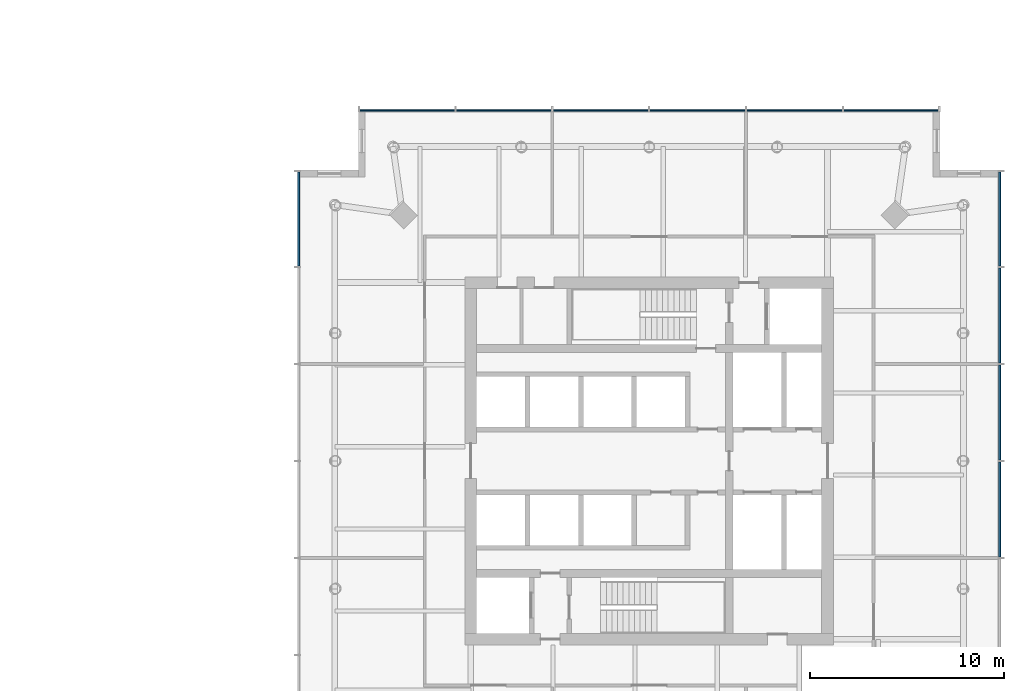
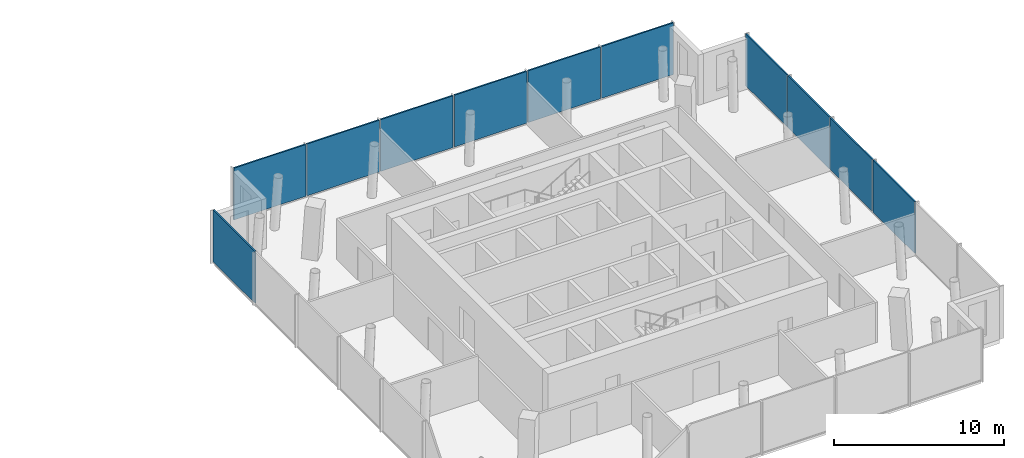
# One storey, part 9 of 18: 11 plates, 3 elements without a shape of their own.
"""IFC4 building model written with IfcOpenShell, lengths in metres."""

from ifc_helpers import new_model, si_unit, direction, frame, origin, origin_2d, place, context, subcontext, project, spatial, rectangle, extrude, material, layer, layer_set, type_object, element, aggregate, save


model = new_model("IFC4")

# Units and contexts
model_context = context("Model", 3, precision=1e-05, world=origin(), true_north=direction((0.0, 1.0)))
body_context = subcontext(model_context, "Body", "Model", "MODEL_VIEW")
ifc_project = project(units=[si_unit("LENGTHUNIT", "METRE"), si_unit("AREAUNIT", "SQUARE_METRE"), si_unit("VOLUMEUNIT", "CUBIC_METRE"), si_unit("PLANEANGLEUNIT", "RADIAN"), si_unit("MASSUNIT", "GRAM", prefix="KILO")], contexts=[model_context])

# Site, building, storey
site_placement = place(None, origin())
site = spatial("IfcSite", under=ifc_project, at=site_placement, CompositionType="ELEMENT")
building_placement = place(site_placement, origin())
building = spatial("IfcBuilding", under=site, at=building_placement, Name="Ostroluk Exchange", CompositionType="ELEMENT")
storey_placement = place(building_placement, frame((0.0, 0.0, 85.60009765625)))
storey = spatial("IfcBuildingStorey", under=building, at=storey_placement, Name="L21", CompositionType="ELEMENT", Elevation=85.60009765625)

# Curtain wall, plates
ifc_material_1 = material(Name="Laminated clear glass", Category="glass")
curtain_wall_type = type_object("IfcCurtainWallType", Name="Hotel amenity and plant facade", PredefinedType="USERDEFINED", material=ifc_material_1)
curtain_wall_1_placement = place(storey_placement, origin())
curtain_wall_1 = element("IfcCurtainWall", 1, at=curtain_wall_1_placement, inside=storey, type_object=curtain_wall_type, Name="Hotel tower east facade L21", ObjectType="LOUVRED CURTAIN WALL", PredefinedType="USERDEFINED")
ifc_material_2 = material(Name="Aluminium louvre", Category="aluminium")
ifc_layer = layer(ifc_material_2, 0.10009765625)
ifc_layer_set = layer_set([ifc_layer], Name="Aluminium louvre panel 100")
plate_type = type_object("IfcPlateType", Name="Aluminium louvre panel 100", PredefinedType="USERDEFINED", material=ifc_layer_set)
plate_1_placement = place(storey_placement, frame((135.074951171875, 43.5, 0.080078125), z_axis=(0.0, 0.0, 1.0), x_axis=(0.0, 1.0, 0.0)))
plate_1 = element("IfcPlate", 2, at=plate_1_placement, type_object=plate_type, Name="CW-H2 panel 3.1", ObjectType="LOUVRE PANEL", PredefinedType="USERDEFINED", context=body_context, shape_type="SweptSolid", body=[
    extrude(rectangle(XDim=4.919921875, YDim=0.10009765625, at=origin_2d()), origin(), (0.0, 0.0, 1.0), 3.719970703125),
])
plate_2_placement = place(storey_placement, frame((135.074951171875, 48.5, 0.080078125), z_axis=(0.0, 0.0, 1.0), x_axis=(0.0, 1.0, 0.0)))
plate_2 = element("IfcPlate", 3, at=plate_2_placement, type_object=plate_type, Name="CW-H2 panel 4.1", ObjectType="LOUVRE PANEL", PredefinedType="USERDEFINED", context=body_context, shape_type="SweptSolid", body=[
    extrude(rectangle(XDim=4.919921875, YDim=0.10009765625, at=origin_2d()), origin(), (0.0, 0.0, 1.0), 3.719970703125),
])
plate_3_placement = place(storey_placement, frame((135.074951171875, 53.5, 0.080078125), z_axis=(0.0, 0.0, 1.0), x_axis=(0.0, 1.0, 0.0)))
plate_3 = element("IfcPlate", 4, at=plate_3_placement, type_object=plate_type, Name="CW-H2 panel 5.1", ObjectType="LOUVRE PANEL", PredefinedType="USERDEFINED", context=body_context, shape_type="SweptSolid", body=[
    extrude(rectangle(XDim=4.919921875, YDim=0.10009765625, at=origin_2d()), origin(), (0.0, 0.0, 1.0), 3.719970703125),
])
plate_4_placement = place(storey_placement, frame((135.074951171875, 58.47998046875, 0.080078125), z_axis=(0.0, 0.0, 1.0), x_axis=(0.0, 1.0, 0.0)))
plate_4 = element("IfcPlate", 5, at=plate_4_placement, type_object=plate_type, Name="CW-H2 panel 6.1", ObjectType="LOUVRE PANEL", PredefinedType="USERDEFINED", context=body_context, shape_type="SweptSolid", body=[
    extrude(rectangle(XDim=4.8798828125, YDim=0.10009765625, at=origin_2d()), origin(), (0.0, 0.0, 1.0), 3.719970703125),
])
aggregate(curtain_wall_1, [plate_1, plate_2, plate_3, plate_4])

curtain_wall_2_placement = place(storey_placement, origin())
curtain_wall_2 = element("IfcCurtainWall", 6, at=curtain_wall_2_placement, inside=storey, type_object=curtain_wall_type, Name="Hotel tower north facade L21", ObjectType="LOUVRED CURTAIN WALL", PredefinedType="USERDEFINED")
plate_5_placement = place(storey_placement, frame((129.47998046875, 64.074951171875, 0.080078125), z_axis=(0.0, 0.0, 1.0), x_axis=(-1.0, 0.0, 0.0)))
plate_5 = element("IfcPlate", 7, at=plate_5_placement, type_object=plate_type, Name="CW-H2 panel 1.1", ObjectType="LOUVRE PANEL", PredefinedType="USERDEFINED", context=body_context, shape_type="SweptSolid", body=[
    extrude(rectangle(XDim=4.8798828125, YDim=0.10009765625, at=origin_2d()), origin(), (0.0, 0.0, 1.0), 3.719970703125),
])
plate_6_placement = place(storey_placement, frame((124.5, 64.074951171875, 0.080078125), z_axis=(0.0, 0.0, 1.0), x_axis=(-1.0, 0.0, 0.0)))
plate_6 = element("IfcPlate", 8, at=plate_6_placement, type_object=plate_type, Name="CW-H2 panel 2.1", ObjectType="LOUVRE PANEL", PredefinedType="USERDEFINED", context=body_context, shape_type="SweptSolid", body=[
    extrude(rectangle(XDim=4.919921875, YDim=0.10009765625, at=origin_2d()), origin(), (0.0, 0.0, 1.0), 3.719970703125),
])
plate_7_placement = place(storey_placement, frame((119.5, 64.074951171875, 0.080078125), z_axis=(0.0, 0.0, 1.0), x_axis=(-1.0, 0.0, 0.0)))
plate_7 = element("IfcPlate", 9, at=plate_7_placement, type_object=plate_type, Name="CW-H2 panel 3.1", ObjectType="LOUVRE PANEL", PredefinedType="USERDEFINED", context=body_context, shape_type="SweptSolid", body=[
    extrude(rectangle(XDim=4.919921875, YDim=0.10009765625, at=origin_2d()), origin(), (0.0, 0.0, 1.0), 3.719970703125),
])
plate_8_placement = place(storey_placement, frame((114.5, 64.074951171875, 0.080078125), z_axis=(0.0, 0.0, 1.0), x_axis=(-1.0, 0.0, 0.0)))
plate_8 = element("IfcPlate", 10, at=plate_8_placement, type_object=plate_type, Name="CW-H2 panel 4.1", ObjectType="LOUVRE PANEL", PredefinedType="USERDEFINED", context=body_context, shape_type="SweptSolid", body=[
    extrude(rectangle(XDim=4.919921875, YDim=0.10009765625, at=origin_2d()), origin(), (0.0, 0.0, 1.0), 3.719970703125),
])
plate_9_placement = place(storey_placement, frame((109.5, 64.074951171875, 0.080078125), z_axis=(0.0, 0.0, 1.0), x_axis=(-1.0, 0.0, 0.0)))
plate_9 = element("IfcPlate", 11, at=plate_9_placement, type_object=plate_type, Name="CW-H2 panel 5.1", ObjectType="LOUVRE PANEL", PredefinedType="USERDEFINED", context=body_context, shape_type="SweptSolid", body=[
    extrude(rectangle(XDim=4.919921875, YDim=0.10009765625, at=origin_2d()), origin(), (0.0, 0.0, 1.0), 3.719970703125),
])
plate_10_placement = place(storey_placement, frame((104.52001953125, 64.074951171875, 0.080078125), z_axis=(0.0, 0.0, 1.0), x_axis=(-1.0, 0.0, 0.0)))
plate_10 = element("IfcPlate", 12, at=plate_10_placement, type_object=plate_type, Name="CW-H2 panel 6.1", ObjectType="LOUVRE PANEL", PredefinedType="USERDEFINED", context=body_context, shape_type="SweptSolid", body=[
    extrude(rectangle(XDim=4.8798828125, YDim=0.10009765625, at=origin_2d()), origin(), (0.0, 0.0, 1.0), 3.719970703125),
])
aggregate(curtain_wall_2, [plate_5, plate_6, plate_7, plate_8, plate_9, plate_10])

# Curtain wall, plate
curtain_wall_3_placement = place(storey_placement, origin())
curtain_wall_3 = element("IfcCurtainWall", 13, at=curtain_wall_3_placement, inside=storey, type_object=curtain_wall_type, Name="Hotel tower west facade L21", ObjectType="LOUVRED CURTAIN WALL", PredefinedType="USERDEFINED")
plate_11_placement = place(storey_placement, frame((98.925048828125, 58.47998046875, 0.080078125), z_axis=(0.0, 0.0, 1.0), x_axis=(0.0, -1.0, 0.0)))
plate_11 = element("IfcPlate", 14, at=plate_11_placement, type_object=plate_type, Name="CW-H2 panel 1.1", ObjectType="LOUVRE PANEL", PredefinedType="USERDEFINED", context=body_context, shape_type="SweptSolid", body=[
    extrude(rectangle(XDim=4.8798828125, YDim=0.10009765625, at=origin_2d()), origin(), (0.0, 0.0, 1.0), 3.719970703125),
])
aggregate(curtain_wall_3, [plate_11])

save(model, "model.ifc")
